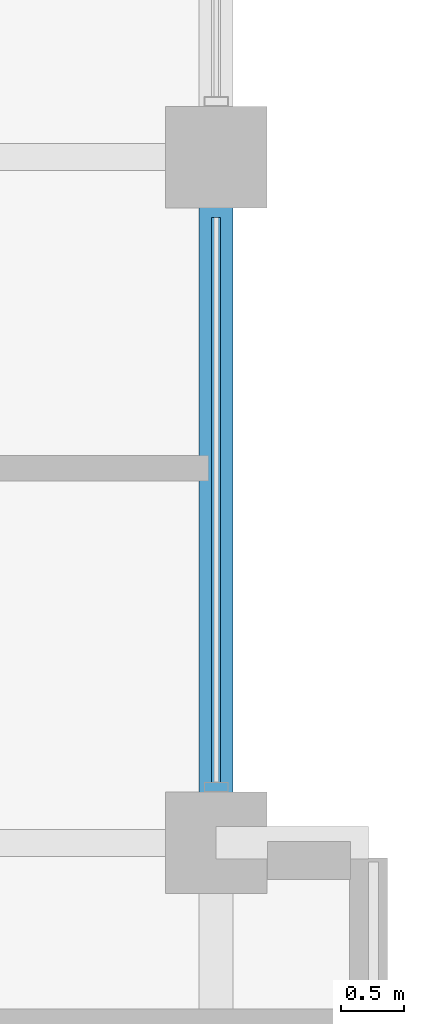
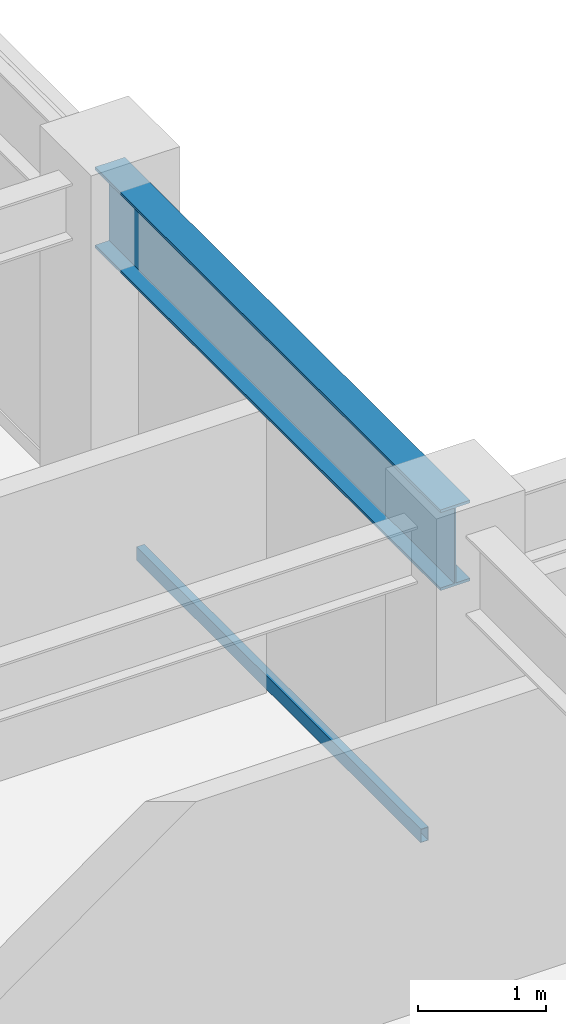
# One storey, part 12 of 28: 1 beam, 1 member, 1 element without a shape of its own.
"""IFC4 building model written with IfcOpenShell, lengths in metres."""

from ifc_helpers import new_model, si_unit, direction, frame, origin, origin_2d, place, context, subcontext, project, spatial, hollow_rectangle, i_section, extrude, material, layer, layer_set, material_profile, profile_set, type_object, element, aggregate, save


model = new_model("IFC4")

# Units and contexts
model_context = context("Model", 3, precision=1e-05, world=origin(), true_north=direction((0.0, 1.0)))
body_context = subcontext(model_context, "Body", "Model", "MODEL_VIEW")
ifc_project = project(units=[si_unit("LENGTHUNIT", "METRE"), si_unit("AREAUNIT", "SQUARE_METRE"), si_unit("VOLUMEUNIT", "CUBIC_METRE"), si_unit("PLANEANGLEUNIT", "RADIAN"), si_unit("MASSUNIT", "GRAM", prefix="KILO")], contexts=[model_context])

# Site, building, storey
site_placement = place(None, origin())
site = spatial("IfcSite", under=ifc_project, at=site_placement, CompositionType="ELEMENT")
building_placement = place(site_placement, origin())
building = spatial("IfcBuilding", under=site, at=building_placement, Name="Surkhivell Harbour Commons", CompositionType="ELEMENT")
storey_placement = place(building_placement, frame((0.0, 0.0, 246.0)))
storey = spatial("IfcBuildingStorey", under=building, at=storey_placement, Name="L64", CompositionType="ELEMENT", Elevation=246.0)

# Beam
ifc_material_1 = material(Name="Steel S355", Category="steel")
ifc_material_profile_1 = material_profile(ifc_material_1, i_section(OverallWidth=0.26806640625, OverallDepth=0.77001953125, WebThickness=0.015625, FlangeThickness=0.025390625, at=origin_2d()), Name="UB762x267x197")
ifc_profile_set_1 = profile_set([ifc_material_profile_1], Name="Steel S355")
beam_type = type_object("IfcBeamType", Name="BM-SPN-762", PredefinedType="SPANDREL", material=ifc_profile_set_1)
beam_placement = place(storey_placement, frame((21.60009765625, 5.39990234375, 3.114990234375), z_axis=(0.0, 1.0, 0.0), x_axis=(-1.0, 0.0, 0.0)))
element("IfcBeam", 1, at=beam_placement, inside=storey, type_object=beam_type, Name="L64 Tube Spandrel (21.6,5.4)", PredefinedType="SPANDREL", context=body_context, shape_type="SweptSolid", body=[
    extrude(i_section(OverallWidth=0.26806640625, OverallDepth=0.77001953125, WebThickness=0.015625, FlangeThickness=0.025390625, at=origin_2d()), origin(), (0.0, 0.0, 1.0), 5.400146484375),
])

# Curtain wall, member
ifc_material_2 = material(Name="Anodised pale-metal aluminium and insulated glazing", Category="aluminium")
ifc_layer = layer(ifc_material_2, 0.18994140625)
ifc_layer_set = layer_set([ifc_layer], Name="Anodised pale-metal aluminium and insulated glazing")
curtain_wall_type = type_object("IfcCurtainWallType", Name="CW-SYS-Z3", PredefinedType="NOTDEFINED", material=ifc_layer_set)
curtain_wall_placement = place(storey_placement, origin())
curtain_wall = element("IfcCurtainWall", 2, at=curtain_wall_placement, inside=storey, type_object=curtain_wall_type, Name="L64 Curtain Wall CW-L64-E02R2", PredefinedType="NOTDEFINED")
ifc_material_3 = material(Name="Champagne anodised aluminium alloy 6063-T6", Category="aluminium")
ifc_material_profile_2 = material_profile(ifc_material_3, hollow_rectangle(XDim=0.070068359375, YDim=0.1298828125, WallThickness=0.00341796875, at=origin_2d()), Name="ALU-TRAN-70x130")
ifc_profile_set_2 = profile_set([ifc_material_profile_2], Name="Champagne anodised aluminium alloy 6063-T6")
member_type = type_object("IfcMemberType", Name="CWT-130", PredefinedType="USERDEFINED", material=ifc_profile_set_2)
member_placement = place(storey_placement, frame((21.60009765625, 5.876953125, 0.06494140625), z_axis=(0.0, 1.0, 0.0), x_axis=(-1.0, 0.0, 0.0)))
member = element("IfcMember", 3, at=member_placement, type_object=member_type, Name="CW-Z3 transom 1.1", ObjectType="TRANSOM", PredefinedType="USERDEFINED", context=body_context, shape_type="SweptSolid", body=[
    extrude(hollow_rectangle(XDim=0.070068359375, YDim=0.1298828125, WallThickness=0.00341796875, at=origin_2d()), origin(), (0.0, 0.0, 1.0), 4.446044921875),
])
aggregate(curtain_wall, [member])

save(model, "model.ifc")
